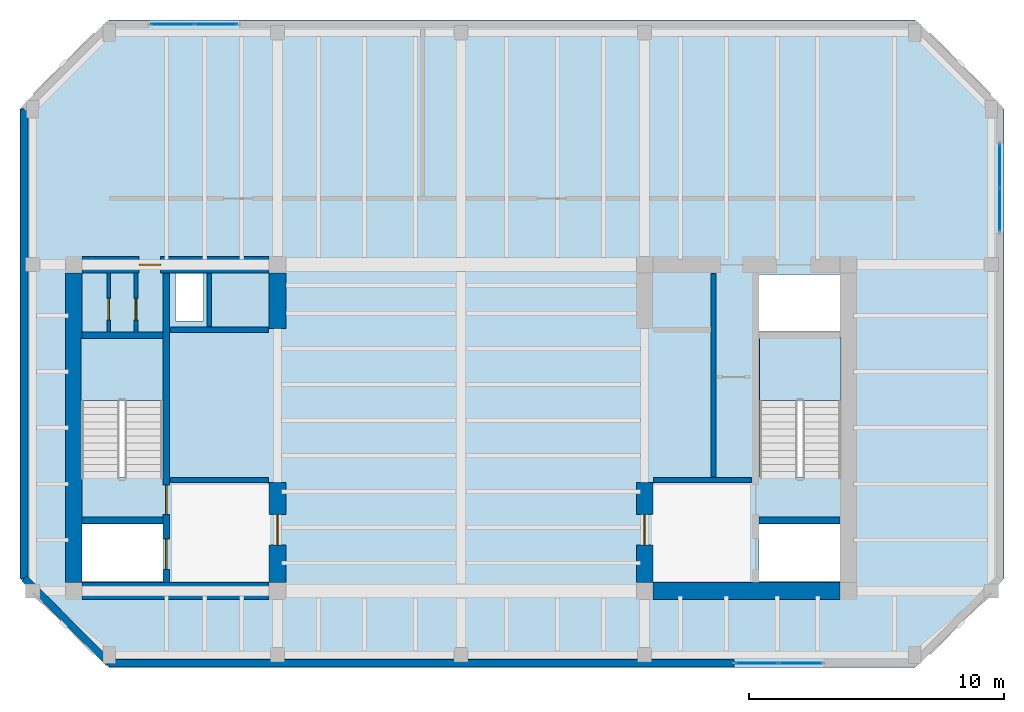
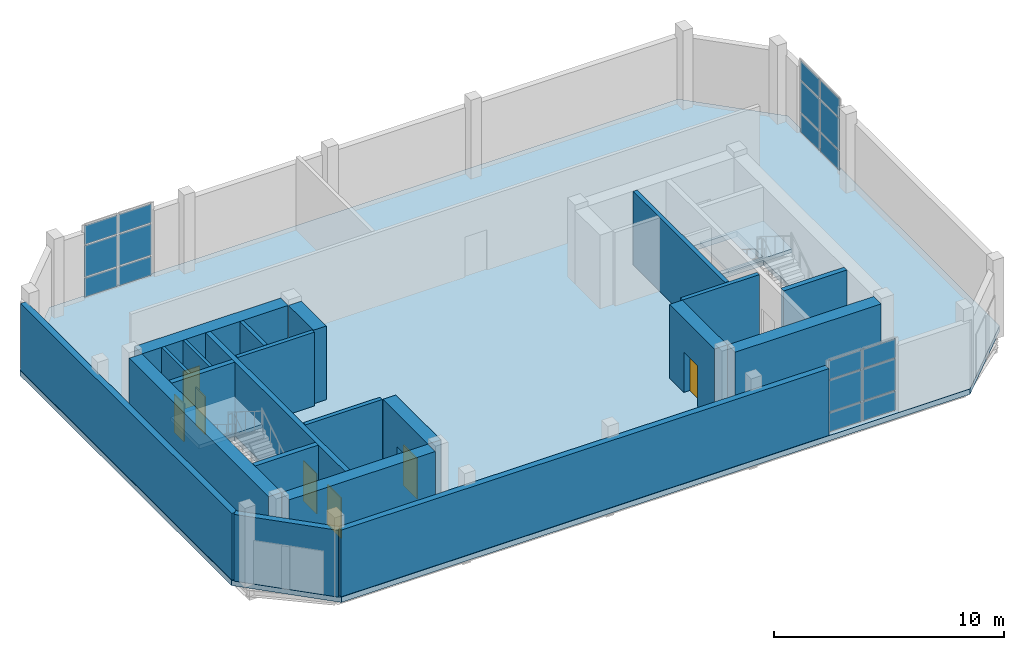
# One storey, part 5 of 8: 21 walls, 18 plates, 7 doors, 3 slabs, 7 openings, 5 elements without a shape of their own.
"""IFC4 building model written with IfcOpenShell, lengths in metres."""

from ifc_helpers import new_model, si_unit, direction, frame, frame_2d, origin, origin_2d, place, context, subcontext, project, spatial, polyline, rectangle, outline, extrude, material, layer, layer_set, type_object, element, fill, aggregate, save


model = new_model("IFC4")

# Units and contexts
model_context = context("Model", 3, precision=1e-05, world=origin(), true_north=direction((0.0, 1.0)))
body_context = subcontext(model_context, "Body", "Model", "MODEL_VIEW")
ifc_project = project(units=[si_unit("LENGTHUNIT", "METRE"), si_unit("AREAUNIT", "SQUARE_METRE"), si_unit("VOLUMEUNIT", "CUBIC_METRE"), si_unit("PLANEANGLEUNIT", "RADIAN"), si_unit("MASSUNIT", "GRAM", prefix="KILO")], contexts=[model_context])

# Site, building, storey
site_placement = place(None, origin())
site = spatial("IfcSite", under=ifc_project, at=site_placement, CompositionType="ELEMENT")
building_placement = place(site_placement, origin())
building = spatial("IfcBuilding", under=site, at=building_placement, Name="Kranthara Brick Stack", CompositionType="ELEMENT")
storey_placement = place(building_placement, frame((0.0, 0.0, 300.60009765625)))
storey = spatial("IfcBuildingStorey", under=building, at=storey_placement, Name="L79", CompositionType="ELEMENT", Elevation=300.60009765625)

# Curtain wall, plates
ifc_material_1 = material(Name="Bronze anodised aluminium and low-E glass", Category="aluminium")
ifc_layer_1 = layer(ifc_material_1, 0.25)
ifc_layer_set_1 = layer_set([ifc_layer_1], Name="Bronze anodised aluminium and low-E glass")
curtain_wall_type = type_object("IfcCurtainWallType", Name="CW-SYS6-CROWN", PredefinedType="USERDEFINED", material=ifc_layer_set_1)
curtain_wall_1_placement = place(storey_placement, origin())
curtain_wall_1 = element("IfcCurtainWall", 1, at=curtain_wall_1_placement, inside=storey, type_object=curtain_wall_type, Name="L79 Curtain Wall CW6-L79-01", ObjectType="UNITISED CURTAIN WALL", PredefinedType="USERDEFINED")
ifc_material_2 = material(Name="Double-glazed low-E vision glass", Category="glass")
ifc_layer_2 = layer(ifc_material_2, 0.028076171875)
ifc_layer_set_2 = layer_set([ifc_layer_2], Name="Double-glazed low-E vision glass")
plate_type = type_object("IfcPlateType", Name="CWP-GLZ-28", PredefinedType="CURTAIN_PANEL", material=ifc_layer_set_2)
plate_1_placement = place(storey_placement, frame((41.32177734375, 17.969970703125, 0.06494140625), z_axis=(0.0, 0.0, 1.0), x_axis=(-1.0, 0.0, 0.0)))
plate_1 = element("IfcPlate", 2, at=plate_1_placement, type_object=plate_type, Name="CW panel 1.1", PredefinedType="CURTAIN_PANEL", context=body_context, shape_type="SweptSolid", body=[
    extrude(rectangle(XDim=1.652587890625, YDim=0.028076171875, at=origin_2d()), origin(), (0.0, 0.0, 1.0), 1.0),
])
plate_2_placement = place(storey_placement, frame((41.32177734375, 17.969970703125, 1.1298828125), z_axis=(0.0, 0.0, 1.0), x_axis=(-1.0, 0.0, 0.0)))
plate_2 = element("IfcPlate", 3, at=plate_2_placement, type_object=plate_type, Name="CW panel 1.2", PredefinedType="CURTAIN_PANEL", context=body_context, shape_type="SweptSolid", body=[
    extrude(rectangle(XDim=1.652587890625, YDim=0.028076171875, at=origin_2d()), origin(), (0.0, 0.0, 1.0), 1.659912109375),
])
plate_3_placement = place(storey_placement, frame((41.32177734375, 17.969970703125, 2.854736328125), z_axis=(0.0, 0.0, 1.0), x_axis=(-1.0, 0.0, 0.0)))
plate_3 = element("IfcPlate", 4, at=plate_3_placement, type_object=plate_type, Name="CW panel 1.3", PredefinedType="CURTAIN_PANEL", context=body_context, shape_type="SweptSolid", body=[
    extrude(rectangle(XDim=1.652587890625, YDim=0.028076171875, at=origin_2d()), origin(), (0.0, 0.0, 1.0), 1.0),
])
plate_4_placement = place(storey_placement, frame((39.604248046875, 17.969970703125, 0.06494140625), z_axis=(0.0, 0.0, 1.0), x_axis=(-1.0, 0.0, 0.0)))
plate_4 = element("IfcPlate", 5, at=plate_4_placement, type_object=plate_type, Name="CW panel 2.1", PredefinedType="CURTAIN_PANEL", context=body_context, shape_type="SweptSolid", body=[
    extrude(rectangle(XDim=1.652587890625, YDim=0.028076171875, at=origin_2d()), origin(), (0.0, 0.0, 1.0), 1.0),
])
plate_5_placement = place(storey_placement, frame((39.604248046875, 17.969970703125, 1.1298828125), z_axis=(0.0, 0.0, 1.0), x_axis=(-1.0, 0.0, 0.0)))
plate_5 = element("IfcPlate", 6, at=plate_5_placement, type_object=plate_type, Name="CW panel 2.2", PredefinedType="CURTAIN_PANEL", context=body_context, shape_type="SweptSolid", body=[
    extrude(rectangle(XDim=1.652587890625, YDim=0.028076171875, at=origin_2d()), origin(), (0.0, 0.0, 1.0), 1.659912109375),
])
plate_6_placement = place(storey_placement, frame((39.604248046875, 17.969970703125, 2.854736328125), z_axis=(0.0, 0.0, 1.0), x_axis=(-1.0, 0.0, 0.0)))
plate_6 = element("IfcPlate", 7, at=plate_6_placement, type_object=plate_type, Name="CW panel 2.3", PredefinedType="CURTAIN_PANEL", context=body_context, shape_type="SweptSolid", body=[
    extrude(rectangle(XDim=1.652587890625, YDim=0.028076171875, at=origin_2d()), origin(), (0.0, 0.0, 1.0), 1.0),
])
aggregate(curtain_wall_1, [plate_1, plate_2, plate_3, plate_4, plate_5, plate_6])

curtain_wall_2_placement = place(storey_placement, origin())
curtain_wall_2 = element("IfcCurtainWall", 8, at=curtain_wall_2_placement, inside=storey, type_object=curtain_wall_type, Name="L79 Curtain Wall CW6-L79-02", ObjectType="UNITISED CURTAIN WALL", PredefinedType="USERDEFINED")
plate_7_placement = place(storey_placement, frame((16.67919921875, 43.030029296875, 0.06494140625), z_axis=(0.0, 0.0, 1.0), x_axis=(1.0, 0.0, 0.0)))
plate_7 = element("IfcPlate", 9, at=plate_7_placement, type_object=plate_type, Name="CW panel 1.1", PredefinedType="CURTAIN_PANEL", context=body_context, shape_type="SweptSolid", body=[
    extrude(rectangle(XDim=1.652587890625, YDim=0.028076171875, at=origin_2d()), origin(), (0.0, 0.0, 1.0), 1.0),
])
plate_8_placement = place(storey_placement, frame((16.67919921875, 43.030029296875, 1.1298828125), z_axis=(0.0, 0.0, 1.0), x_axis=(1.0, 0.0, 0.0)))
plate_8 = element("IfcPlate", 10, at=plate_8_placement, type_object=plate_type, Name="CW panel 1.2", PredefinedType="CURTAIN_PANEL", context=body_context, shape_type="SweptSolid", body=[
    extrude(rectangle(XDim=1.652587890625, YDim=0.028076171875, at=origin_2d()), origin(), (0.0, 0.0, 1.0), 1.659912109375),
])
plate_9_placement = place(storey_placement, frame((16.67919921875, 43.030029296875, 2.854736328125), z_axis=(0.0, 0.0, 1.0), x_axis=(1.0, 0.0, 0.0)))
plate_9 = element("IfcPlate", 11, at=plate_9_placement, type_object=plate_type, Name="CW panel 1.3", PredefinedType="CURTAIN_PANEL", context=body_context, shape_type="SweptSolid", body=[
    extrude(rectangle(XDim=1.652587890625, YDim=0.028076171875, at=origin_2d()), origin(), (0.0, 0.0, 1.0), 1.0),
])
plate_10_placement = place(storey_placement, frame((18.396728515625, 43.030029296875, 0.06494140625), z_axis=(0.0, 0.0, 1.0), x_axis=(1.0, 0.0, 0.0)))
plate_10 = element("IfcPlate", 12, at=plate_10_placement, type_object=plate_type, Name="CW panel 2.1", PredefinedType="CURTAIN_PANEL", context=body_context, shape_type="SweptSolid", body=[
    extrude(rectangle(XDim=1.652587890625, YDim=0.028076171875, at=origin_2d()), origin(), (0.0, 0.0, 1.0), 1.0),
])
plate_11_placement = place(storey_placement, frame((18.396728515625, 43.030029296875, 1.1298828125), z_axis=(0.0, 0.0, 1.0), x_axis=(1.0, 0.0, 0.0)))
plate_11 = element("IfcPlate", 13, at=plate_11_placement, type_object=plate_type, Name="CW panel 2.2", PredefinedType="CURTAIN_PANEL", context=body_context, shape_type="SweptSolid", body=[
    extrude(rectangle(XDim=1.652587890625, YDim=0.028076171875, at=origin_2d()), origin(), (0.0, 0.0, 1.0), 1.659912109375),
])
plate_12_placement = place(storey_placement, frame((18.396728515625, 43.030029296875, 2.854736328125), z_axis=(0.0, 0.0, 1.0), x_axis=(1.0, 0.0, 0.0)))
plate_12 = element("IfcPlate", 14, at=plate_12_placement, type_object=plate_type, Name="CW panel 2.3", PredefinedType="CURTAIN_PANEL", context=body_context, shape_type="SweptSolid", body=[
    extrude(rectangle(XDim=1.652587890625, YDim=0.028076171875, at=origin_2d()), origin(), (0.0, 0.0, 1.0), 1.0),
])
aggregate(curtain_wall_2, [plate_7, plate_8, plate_9, plate_10, plate_11, plate_12])

curtain_wall_3_placement = place(storey_placement, origin())
curtain_wall_3 = element("IfcCurtainWall", 15, at=curtain_wall_3_placement, inside=storey, type_object=curtain_wall_type, Name="L79 Curtain Wall CW6-L79-03", ObjectType="UNITISED CURTAIN WALL", PredefinedType="USERDEFINED")
plate_13_placement = place(storey_placement, frame((49.1298828125, 37.470703125, 0.06494140625), z_axis=(0.0, 0.0, 1.0), x_axis=(0.0, -1.0, 0.0)))
plate_13 = element("IfcPlate", 16, at=plate_13_placement, type_object=plate_type, Name="CW panel 1.1", PredefinedType="CURTAIN_PANEL", context=body_context, shape_type="SweptSolid", body=[
    extrude(rectangle(XDim=1.652587890625, YDim=0.028076171875, at=origin_2d()), origin(), (0.0, 0.0, 1.0), 1.0),
])
plate_14_placement = place(storey_placement, frame((49.1298828125, 37.470703125, 1.1298828125), z_axis=(0.0, 0.0, 1.0), x_axis=(0.0, -1.0, 0.0)))
plate_14 = element("IfcPlate", 17, at=plate_14_placement, type_object=plate_type, Name="CW panel 1.2", PredefinedType="CURTAIN_PANEL", context=body_context, shape_type="SweptSolid", body=[
    extrude(rectangle(XDim=1.652587890625, YDim=0.028076171875, at=origin_2d()), origin(), (0.0, 0.0, 1.0), 1.659912109375),
])
plate_15_placement = place(storey_placement, frame((49.1298828125, 37.470703125, 2.854736328125), z_axis=(0.0, 0.0, 1.0), x_axis=(0.0, -1.0, 0.0)))
plate_15 = element("IfcPlate", 18, at=plate_15_placement, type_object=plate_type, Name="CW panel 1.3", PredefinedType="CURTAIN_PANEL", context=body_context, shape_type="SweptSolid", body=[
    extrude(rectangle(XDim=1.652587890625, YDim=0.028076171875, at=origin_2d()), origin(), (0.0, 0.0, 1.0), 1.0),
])
plate_16_placement = place(storey_placement, frame((49.1298828125, 35.753173828125, 0.06494140625), z_axis=(0.0, 0.0, 1.0), x_axis=(0.0, -1.0, 0.0)))
plate_16 = element("IfcPlate", 19, at=plate_16_placement, type_object=plate_type, Name="CW panel 2.1", PredefinedType="CURTAIN_PANEL", context=body_context, shape_type="SweptSolid", body=[
    extrude(rectangle(XDim=1.652587890625, YDim=0.028076171875, at=origin_2d()), origin(), (0.0, 0.0, 1.0), 1.0),
])
plate_17_placement = place(storey_placement, frame((49.1298828125, 35.753173828125, 1.1298828125), z_axis=(0.0, 0.0, 1.0), x_axis=(0.0, -1.0, 0.0)))
plate_17 = element("IfcPlate", 20, at=plate_17_placement, type_object=plate_type, Name="CW panel 2.2", PredefinedType="CURTAIN_PANEL", context=body_context, shape_type="SweptSolid", body=[
    extrude(rectangle(XDim=1.652587890625, YDim=0.028076171875, at=origin_2d()), origin(), (0.0, 0.0, 1.0), 1.659912109375),
])
plate_18_placement = place(storey_placement, frame((49.1298828125, 35.753173828125, 2.854736328125), z_axis=(0.0, 0.0, 1.0), x_axis=(0.0, -1.0, 0.0)))
plate_18 = element("IfcPlate", 21, at=plate_18_placement, type_object=plate_type, Name="CW panel 2.3", PredefinedType="CURTAIN_PANEL", context=body_context, shape_type="SweptSolid", body=[
    extrude(rectangle(XDim=1.652587890625, YDim=0.028076171875, at=origin_2d()), origin(), (0.0, 0.0, 1.0), 1.0),
])
aggregate(curtain_wall_3, [plate_13, plate_14, plate_15, plate_16, plate_17, plate_18])

# Slab
ifc_material_3 = material(Name="Concrete C45/55", Category="concrete")
ifc_layer_3 = layer(ifc_material_3, 0.280029296875)
ifc_layer_set_3 = layer_set([ifc_layer_3], Name="Concrete C45/55")
slab_type_1 = type_object("IfcSlabType", Name="SLB-CRN-280", PredefinedType="FLOOR", material=ifc_layer_set_3)
slab_1_placement = place(storey_placement, frame((0.0, 0.0, -0.280029296875)))
element("IfcSlab", 22, at=slab_1_placement, inside=storey, type_object=slab_type_1, Name="L79 Structural Floor Plate", PredefinedType="FLOOR", context=body_context, shape_type="SweptSolid", body=[
    extrude(outline(polyline([(14.199951171875, 17.800048828125), (45.800048828125, 17.800048828125), (49.300048828125, 21.300048828125), (49.300048828125, 39.699951171875), (45.800048828125, 43.199951171875), (14.199951171875, 43.199951171875), (10.699951171875, 39.699951171875), (10.699951171875, 21.300048828125), (14.199951171875, 17.800048828125)]), holes=[polyline([(13.10009765625, 25.280029296875), (16.300048828125, 25.280029296875), (16.300048828125, 30.75), (13.10009765625, 30.75), (13.10009765625, 25.280029296875)]), polyline([(39.699951171875, 25.280029296875), (42.89990234375, 25.280029296875), (42.89990234375, 30.75), (39.699951171875, 30.75), (39.699951171875, 25.280029296875)]), polyline([(13.0, 21.179931640625), (16.320068359375, 21.179931640625), (16.320068359375, 23.419921875), (13.0, 23.419921875), (13.0, 21.179931640625)]), polyline([(39.679931640625, 21.179931640625), (43.0, 21.179931640625), (43.0, 23.419921875), (39.679931640625, 23.419921875), (39.679931640625, 21.179931640625)]), polyline([(39.679931640625, 30.97998046875), (43.0, 30.97998046875), (43.0, 33.219970703125), (39.679931640625, 33.219970703125), (39.679931640625, 30.97998046875)]), polyline([(16.800048828125, 31.39990234375), (17.89990234375, 31.39990234375), (17.89990234375, 33.25), (16.800048828125, 33.25), (16.800048828125, 31.39990234375)])]), origin(), (0.0, 0.0, 1.0), 0.280029296875),
])

# Stair, slab
ifc_material_4 = material(Name="Concrete C45/55", Category="concrete")
stair_type = type_object("IfcStairType", Name="ST-CORE-24R", PredefinedType="HALF_TURN_STAIR", material=ifc_material_4)
stair_1_placement = place(storey_placement, origin())
stair_1 = element("IfcStair", 23, at=stair_1_placement, inside=storey, type_object=stair_type, Name="L79 West Core Protected Exit Stair ST01", PredefinedType="HALF_TURN_STAIR")
ifc_material_5 = material(Name="Concrete C45/55", Category="concrete")
ifc_layer_4 = layer(ifc_material_5, 0.199951171875)
ifc_layer_set_4 = layer_set([ifc_layer_4], Name="Concrete C45/55")
slab_type_2 = type_object("IfcSlabType", Name="SLB-LANDING-200", PredefinedType="LANDING", material=ifc_layer_set_4)
slab_2_placement = place(storey_placement, frame((0.0, 0.0, 1.89990234375)))
slab_2 = element("IfcSlab", 24, at=slab_2_placement, type_object=slab_type_2, Name="ST01 landing 1", PredefinedType="LANDING", context=body_context, shape_type="SweptSolid", body=[
    extrude(outline(polyline([(16.300048828125, 28.280029296875), (16.300048828125, 30.75), (13.10009765625, 30.75), (13.10009765625, 28.280029296875), (16.300048828125, 28.280029296875)])), origin(), (0.0, 0.0, 1.0), 0.199951171875),
])
aggregate(stair_1, [slab_2])

stair_2_placement = place(storey_placement, origin())
stair_2 = element("IfcStair", 25, at=stair_2_placement, inside=storey, type_object=stair_type, Name="L79 East Core Protected Exit Stair ST02", PredefinedType="HALF_TURN_STAIR")
slab_3_placement = place(storey_placement, frame((0.0, 0.0, 1.89990234375)))
slab_3 = element("IfcSlab", 26, at=slab_3_placement, type_object=slab_type_2, Name="ST02 landing 1", PredefinedType="LANDING", context=body_context, shape_type="SweptSolid", body=[
    extrude(outline(polyline([(42.89990234375, 28.280029296875), (42.89990234375, 30.75), (39.699951171875, 30.75), (39.699951171875, 28.280029296875), (42.89990234375, 28.280029296875)])), origin(), (0.0, 0.0, 1.0), 0.199951171875),
])
aggregate(stair_2, [slab_3])

# Walls
ifc_material_6 = material(Name="Precast concrete C45/55", Category="concrete")
ifc_layer_5 = layer(ifc_material_6, 0.300048828125)
ifc_layer_set_5 = layer_set([ifc_layer_5], Name="Precast concrete C45/55")
wall_type_1 = type_object("IfcWallType", Name="WL-BRK-CRWN-300", PredefinedType="STANDARD", material=ifc_layer_set_5)
wall_1_placement = place(storey_placement, frame((38.712890625, 17.969970703125, 0.0), z_axis=(0.0, 0.0, 1.0), x_axis=(-1.0, 0.0, 0.0)))
element("IfcWall", 27, at=wall_1_placement, inside=storey, type_object=wall_type_1, Name="L79 Exterior Brick Facade Wall SOUTH 2", PredefinedType="STANDARD", context=body_context, shape_type="SweptSolid", body=[
    extrude(rectangle(XDim=24.512939453125, YDim=0.300048828125, at=frame_2d((12.25634765625, 0.0))), origin(), (0.0, 0.0, 1.0), 3.544921875),
])
wall_2_placement = place(storey_placement, frame((14.199951171875, 17.969970703125, 0.0), z_axis=(0.0, 0.0, 1.0), x_axis=(-0.707080859425, 0.707132701998, 0.0)))
element("IfcWall", 28, at=wall_2_placement, inside=storey, type_object=wall_type_1, Name="L79 Exterior Brick Facade Wall SW 1", PredefinedType="STANDARD", context=body_context, shape_type="SweptSolid", body=[
    extrude(rectangle(XDim=4.709228515625, YDim=0.300048828125, at=frame_2d((2.3544921875, 0.0))), origin(), (0.0, 0.0, 1.0), 3.544921875),
])
wall_3_placement = place(storey_placement, frame((10.8701171875, 21.300048828125, 0.0), z_axis=(0.0, 0.0, 1.0), x_axis=(0.0, 1.0, 0.0)))
element("IfcWall", 29, at=wall_3_placement, inside=storey, type_object=wall_type_1, Name="L79 Exterior Brick Facade Wall WEST 1", PredefinedType="STANDARD", context=body_context, shape_type="SweptSolid", body=[
    extrude(rectangle(XDim=18.39990234375, YDim=0.300048828125, at=frame_2d((9.199951171875, 0.0))), origin(), (0.0, 0.0, 1.0), 3.544921875),
])

# Wall, openings, doors
ifc_material_7 = material(Name="Concrete C50/60", Category="concrete")
ifc_layer_6 = layer(ifc_material_7, 0.25)
ifc_layer_set_6 = layer_set([ifc_layer_6], Name="Concrete C50/60")
wall_type_2 = type_object("IfcWallType", Name="WL-CORE-250", PredefinedType="SHEAR", material=ifc_layer_set_6)
wall_4_placement = place(storey_placement, frame((16.43505859375, 21.135009765625, 0.0), z_axis=(0.0, 0.0, 1.0), x_axis=(0.0, 1.0, 0.0)))
wall_4 = element("IfcWall", 30, at=wall_4_placement, inside=storey, type_object=wall_type_2, Name="L79 West Core Stair Bearing Spine Wall", PredefinedType="SHEAR", context=body_context, shape_type="SweptSolid", body=[
    extrude(rectangle(XDim=12.1298828125, YDim=0.25, at=frame_2d((6.06494140625, 0.0))), origin(), (0.0, 0.0, 1.0), 3.919921875),
])
opening_1_placement = place(wall_4_placement, frame((0.514892578125, 0.0, 0.0)))
opening_1 = element("IfcOpeningElement", 31, at=opening_1_placement, cuts=wall_4, Name="Opening LD01", PredefinedType="OPENING", context=body_context, shape_type="SweptSolid", body=[
    extrude(rectangle(XDim=1.199951171875, YDim=2.14990234375, at=frame_2d((0.60009765625, 1.074951171875))), frame((0.0, 0.135009765625, 0.0), z_axis=(0.0, -1.0, 0.0), x_axis=(1.0, 0.0, 0.0)), (0.0, 0.0, 1.0), 0.27001953125),
])
opening_2_placement = place(wall_4_placement, frame((2.6650390625, 0.0, 0.0)))
opening_2 = element("IfcOpeningElement", 32, at=opening_2_placement, cuts=wall_4, Name="Opening D05", PredefinedType="OPENING", context=body_context, shape_type="SweptSolid", body=[
    extrude(rectangle(XDim=1.14990234375, YDim=2.14990234375, at=frame_2d((0.574951171875, 1.074951171875))), frame((0.0, 0.135009765625, 0.0), z_axis=(0.0, -1.0, 0.0), x_axis=(1.0, 0.0, 0.0)), (0.0, 0.0, 1.0), 0.27001953125),
])
ifc_material_8 = material(Name="Stainless steel sliding landing door", Category="steel")
door_type_1 = type_object("IfcDoorType", Name="DR-LD-FF1200", OperationType="DOUBLE_DOOR_SLIDING", PredefinedType="DOOR", material=ifc_material_8)
door_1_placement = place(opening_1_placement, origin())
door_1 = element("IfcDoor", 33, at=door_1_placement, inside=storey, type_object=door_type_1, Name="L79 Firefighting Lift FF-01 Landing Door", OperationType="DOUBLE_DOOR_SLIDING", OverallHeight=2.14990234375, OverallWidth=1.199951171875, PredefinedType="DOOR", context=body_context, shape_type="SweptSolid", body=[
    extrude(rectangle(XDim=1.199951171875, YDim=2.14990234375, at=frame_2d((0.60009765625, 1.074951171875))), frame((0.0, 0.02490234375, 0.0), z_axis=(0.0, -1.0, 0.0), x_axis=(1.0, 0.0, 0.0)), (0.0, 0.0, 1.0), 0.050048828125),
])
fill(opening_1, door_1)
ifc_material_9 = material(Name="Solid-core hardwood timber leaf in steel frame", Category="steel")
door_type_2 = type_object("IfcDoorType", Name="DR-ST-1150", OperationType="NOTDEFINED", PredefinedType="DOOR", material=ifc_material_9)
door_2_placement = place(opening_2_placement, origin())
door_2 = element("IfcDoor", 34, at=door_2_placement, inside=storey, type_object=door_type_2, Name="L79 Exit Stair ST01 Door", OperationType="SINGLE_SWING_RIGHT", OverallHeight=2.14990234375, OverallWidth=1.14990234375, PredefinedType="DOOR", context=body_context, shape_type="SweptSolid", body=[
    extrude(rectangle(XDim=1.14990234375, YDim=2.14990234375, at=frame_2d((0.574951171875, 1.074951171875))), frame((0.0, 0.02490234375, 0.0), z_axis=(0.0, -1.0, 0.0), x_axis=(1.0, 0.0, 0.0)), (0.0, 0.0, 1.0), 0.050048828125),
])
fill(opening_2, door_2)

# Walls
for number, where, z_axis, x_axis, name in (
    (35, (13.135009765625, 23.570068359375, 0.0), (0.0, 0.0, 1.0), (1.0, 0.0, 0.0), "L79 West Stairwell Bearing Wall WFF"),
    (36, (13.135009765625, 30.830078125, 0.0), (0.0, 0.0, 1.0), (1.0, 0.0, 0.0), "L79 West Stairwell Bearing Wall WST"),
    (37, (39.68994140625, 23.570068359375, 0.0), (0.0, 0.0, 1.0), (1.0, 0.0, 0.0), "L79 East Stairwell Bearing Wall EFF"),
):
    element("IfcWall", number, at=place(storey_placement, frame(where, z_axis=z_axis, x_axis=x_axis)), inside=storey, type_object=wall_type_2, Name=name, PredefinedType="SHEAR", context=body_context, shape_type="SweptSolid", body=[
        extrude(rectangle(XDim=3.175048828125, YDim=0.25, at=frame_2d((1.58740234375, 0.0))), origin(), (0.0, 0.0, 1.0), 3.919921875),
    ])
ifc_material_10 = material(Name="Concrete C60/75", Category="concrete")
ifc_layer_7 = layer(ifc_material_10, 0.64990234375)
ifc_layer_set_7 = layer_set([ifc_layer_7], Name="Concrete C60/75")
wall_type_3 = type_object("IfcWallType", Name="WL-CORE-650", PredefinedType="SHEAR", material=ifc_layer_set_7)
wall_5_placement = place(storey_placement, frame((12.800048828125, 21.1298828125, 0.0), z_axis=(0.0, 0.0, 1.0), x_axis=(0.0, 1.0, 0.0)))
element("IfcWall", 38, at=wall_5_placement, inside=storey, type_object=wall_type_3, Name="L79 West Core Shear Wall West", PredefinedType="SHEAR", context=body_context, shape_type="SweptSolid", body=[
    extrude(rectangle(XDim=12.14013671875, YDim=0.64990234375, at=frame_2d((6.070068359375, 0.0))), origin(), (0.0, 0.0, 1.0), 3.919921875),
])
wall_6_placement = place(storey_placement, frame((13.1298828125, 20.800048828125, 0.0), z_axis=(0.0, 0.0, 1.0), x_axis=(1.0, 0.0, 0.0)))
element("IfcWall", 39, at=wall_6_placement, inside=storey, type_object=wall_type_3, Name="L79 West Core Shear Wall South", PredefinedType="SHEAR", context=body_context, shape_type="SweptSolid", body=[
    extrude(rectangle(XDim=7.340087890625, YDim=0.64990234375, at=frame_2d((3.669921875, 0.0))), origin(), (0.0, 0.0, 1.0), 3.919921875),
])

# Wall, opening, door
wall_7_placement = place(storey_placement, frame((13.1298828125, 33.60009765625, 0.0), z_axis=(0.0, 0.0, 1.0), x_axis=(1.0, 0.0, 0.0)))
wall_7 = element("IfcWall", 40, at=wall_7_placement, inside=storey, type_object=wall_type_3, Name="L79 West Core Shear Wall North", PredefinedType="SHEAR", context=body_context, shape_type="SweptSolid", body=[
    extrude(rectangle(XDim=7.340087890625, YDim=0.64990234375, at=frame_2d((3.669921875, 0.0))), origin(), (0.0, 0.0, 1.0), 3.919921875),
])
opening_3_placement = place(wall_7_placement, frame((2.239990234375, 0.0, 0.0)))
opening_3 = element("IfcOpeningElement", 41, at=opening_3_placement, cuts=wall_7, Name="Opening D10", PredefinedType="OPENING", context=body_context, shape_type="SweptSolid", body=[
    extrude(rectangle(XDim=0.85009765625, YDim=2.02001953125, at=frame_2d((0.425048828125, 1.010009765625))), frame((0.0, 0.3349609375, 0.0), z_axis=(0.0, -1.0, 0.0), x_axis=(1.0, 0.0, 0.0)), (0.0, 0.0, 1.0), 0.669921875),
])
ifc_material_11 = material(Name="Solid-core hardwood timber leaf in steel frame", Category="steel")
door_type_3 = type_object("IfcDoorType", Name="DR-RSR-850", OperationType="NOTDEFINED", PredefinedType="DOOR", material=ifc_material_11)
door_3_placement = place(opening_3_placement, origin())
door_3 = element("IfcDoor", 42, at=door_3_placement, inside=storey, type_object=door_type_3, Name="L79 West Core Service Door 1", OperationType="SINGLE_SWING_RIGHT", OverallHeight=2.02001953125, OverallWidth=0.85009765625, PredefinedType="DOOR", context=body_context, shape_type="SweptSolid", body=[
    extrude(rectangle(XDim=0.85009765625, YDim=2.02001953125, at=frame_2d((0.425048828125, 1.010009765625))), frame((0.0, 0.02490234375, 0.0), z_axis=(0.0, -1.0, 0.0), x_axis=(1.0, 0.0, 0.0)), (0.0, 0.0, 1.0), 0.050048828125),
])
fill(opening_3, door_3)

wall_8_placement = place(storey_placement, frame((20.800048828125, 21.1298828125, 0.0), z_axis=(0.0, 0.0, 1.0), x_axis=(0.0, 1.0, 0.0)))
wall_8 = element("IfcWall", 43, at=wall_8_placement, inside=storey, type_object=wall_type_3, Name="L79 West Core Lobby Shear Wall", PredefinedType="SHEAR", context=body_context, shape_type="SweptSolid", body=[
    extrude(rectangle(XDim=3.920166015625, YDim=0.64990234375, at=frame_2d((1.9599609375, 0.0))), origin(), (0.0, 0.0, 1.0), 3.919921875),
])
opening_4_placement = place(wall_8_placement, frame((1.469970703125, 0.0, 0.0)))
opening_4 = element("IfcOpeningElement", 44, at=opening_4_placement, cuts=wall_8, Name="Opening D06", PredefinedType="OPENING", context=body_context, shape_type="SweptSolid", body=[
    extrude(rectangle(XDim=1.199951171875, YDim=2.14990234375, at=frame_2d((0.60009765625, 1.074951171875))), frame((0.0, 0.3349609375, 0.0), z_axis=(0.0, -1.0, 0.0), x_axis=(1.0, 0.0, 0.0)), (0.0, 0.0, 1.0), 0.669921875),
])
ifc_material_12 = material(Name="Solid-core hardwood timber leaf in steel frame", Category="steel")
door_type_4 = type_object("IfcDoorType", Name="DR-FFL-1200", OperationType="NOTDEFINED", PredefinedType="DOOR", material=ifc_material_12)
door_4_placement = place(opening_4_placement, origin())
door_4 = element("IfcDoor", 45, at=door_4_placement, inside=storey, type_object=door_type_4, Name="L79 West Firefighting Lobby Door", OperationType="SINGLE_SWING_LEFT", OverallHeight=2.14990234375, OverallWidth=1.199951171875, PredefinedType="DOOR", context=body_context, shape_type="SweptSolid", body=[
    extrude(rectangle(XDim=1.199951171875, YDim=2.14990234375, at=frame_2d((0.60009765625, 1.074951171875))), frame((0.0, 0.02490234375, 0.0), z_axis=(0.0, -1.0, 0.0), x_axis=(1.0, 0.0, 0.0)), (0.0, 0.0, 1.0), 0.050048828125),
])
fill(opening_4, door_4)

# Walls
wall_9_placement = place(storey_placement, frame((20.800048828125, 31.10009765625, 0.0), z_axis=(0.0, 0.0, 1.0), x_axis=(0.0, 1.0, 0.0)))
element("IfcWall", 46, at=wall_9_placement, inside=storey, type_object=wall_type_3, Name="L79 West Core High-Rise Lift Wall", PredefinedType="SHEAR", context=body_context, shape_type="SweptSolid", body=[
    extrude(rectangle(XDim=2.169921875, YDim=0.64990234375, at=frame_2d((1.0849609375, 0.0))), origin(), (0.0, 0.0, 1.0), 3.919921875),
])
wall_10_placement = place(storey_placement, frame((35.530029296875, 20.800048828125, 0.0), z_axis=(0.0, 0.0, 1.0), x_axis=(1.0, 0.0, 0.0)))
element("IfcWall", 47, at=wall_10_placement, inside=storey, type_object=wall_type_3, Name="L79 East Core Shear Wall South", PredefinedType="SHEAR", context=body_context, shape_type="SweptSolid", body=[
    extrude(rectangle(XDim=7.340087890625, YDim=0.64990234375, at=frame_2d((3.669921875, 0.0))), origin(), (0.0, 0.0, 1.0), 3.919921875),
])

# Wall, opening, door
wall_11_placement = place(storey_placement, frame((35.199951171875, 21.1298828125, 0.0), z_axis=(0.0, 0.0, 1.0), x_axis=(0.0, 1.0, 0.0)))
wall_11 = element("IfcWall", 48, at=wall_11_placement, inside=storey, type_object=wall_type_3, Name="L79 East Core Lobby Shear Wall", PredefinedType="SHEAR", context=body_context, shape_type="SweptSolid", body=[
    extrude(rectangle(XDim=3.920166015625, YDim=0.64990234375, at=frame_2d((1.9599609375, 0.0))), origin(), (0.0, 0.0, 1.0), 3.919921875),
])
opening_5_placement = place(wall_11_placement, frame((1.469970703125, 0.0, 0.0)))
opening_5 = element("IfcOpeningElement", 49, at=opening_5_placement, cuts=wall_11, Name="Opening D06", PredefinedType="OPENING", context=body_context, shape_type="SweptSolid", body=[
    extrude(rectangle(XDim=1.199951171875, YDim=2.14990234375, at=frame_2d((0.60009765625, 1.074951171875))), frame((0.0, 0.3349609375, 0.0), z_axis=(0.0, -1.0, 0.0), x_axis=(1.0, 0.0, 0.0)), (0.0, 0.0, 1.0), 0.669921875),
])
door_5_placement = place(opening_5_placement, origin())
door_5 = element("IfcDoor", 50, at=door_5_placement, inside=storey, type_object=door_type_4, Name="L79 East Firefighting Lobby Door", OperationType="SINGLE_SWING_RIGHT", OverallHeight=2.14990234375, OverallWidth=1.199951171875, PredefinedType="DOOR", context=body_context, shape_type="SweptSolid", body=[
    extrude(rectangle(XDim=1.199951171875, YDim=2.14990234375, at=frame_2d((0.60009765625, 1.074951171875))), frame((0.0, 0.02490234375, 0.0), z_axis=(0.0, -1.0, 0.0), x_axis=(1.0, 0.0, 0.0)), (0.0, 0.0, 1.0), 0.050048828125),
])
fill(opening_5, door_5)

ifc_material_13 = material(Name="Fire-rated gypsum board partition", Category="other")
ifc_layer_8 = layer(ifc_material_13, 0.14990234375)
ifc_layer_set_8 = layer_set([ifc_layer_8], Name="Fire-rated gypsum board partition")
wall_type_4 = type_object("IfcWallType", Name="WL-PART-150", PredefinedType="PARTITIONING", material=ifc_layer_set_8)
wall_12_placement = place(storey_placement, frame((14.179931640625, 30.9599609375, 0.0), z_axis=(0.0, 0.0, 1.0), x_axis=(0.0, 1.0, 0.0)))
wall_12 = element("IfcWall", 51, at=wall_12_placement, inside=storey, type_object=wall_type_4, Name="L79 Interior Partition 001", PredefinedType="PARTITIONING", context=body_context, shape_type="SweptSolid", body=[
    extrude(rectangle(XDim=2.31005859375, YDim=0.14990234375, at=frame_2d((1.155029296875, 0.0))), origin(), (0.0, 0.0, 1.0), 3.919921875),
])
opening_6_placement = place(wall_12_placement, frame((0.469970703125, 0.0, 0.0)))
opening_6 = element("IfcOpeningElement", 52, at=opening_6_placement, cuts=wall_12, Name="Opening D10", PredefinedType="OPENING", context=body_context, shape_type="SweptSolid", body=[
    extrude(rectangle(XDim=0.85009765625, YDim=2.02001953125, at=frame_2d((0.425048828125, 1.010009765625))), frame((0.0, 0.0849609375, 0.0), z_axis=(0.0, -1.0, 0.0), x_axis=(1.0, 0.0, 0.0)), (0.0, 0.0, 1.0), 0.169921875),
])
door_6_placement = place(opening_6_placement, origin())
door_6 = element("IfcDoor", 53, at=door_6_placement, inside=storey, type_object=door_type_3, Name="L79 Riser Door A 01", OperationType="SINGLE_SWING_LEFT", OverallHeight=2.02001953125, OverallWidth=0.85009765625, PredefinedType="DOOR", context=body_context, shape_type="SweptSolid", body=[
    extrude(rectangle(XDim=0.85009765625, YDim=2.02001953125, at=frame_2d((0.425048828125, 1.010009765625))), frame((0.0, 0.02490234375, 0.0), z_axis=(0.0, -1.0, 0.0), x_axis=(1.0, 0.0, 0.0)), (0.0, 0.0, 1.0), 0.050048828125),
])
fill(opening_6, door_6)

wall_13_placement = place(storey_placement, frame((15.25, 30.9599609375, 0.0), z_axis=(0.0, 0.0, 1.0), x_axis=(0.0, 1.0, 0.0)))
wall_13 = element("IfcWall", 54, at=wall_13_placement, inside=storey, type_object=wall_type_4, Name="L79 Interior Partition 002", PredefinedType="PARTITIONING", context=body_context, shape_type="SweptSolid", body=[
    extrude(rectangle(XDim=2.31005859375, YDim=0.14990234375, at=frame_2d((1.155029296875, 0.0))), origin(), (0.0, 0.0, 1.0), 3.919921875),
])
opening_7_placement = place(wall_13_placement, frame((0.469970703125, 0.0, 0.0)))
opening_7 = element("IfcOpeningElement", 55, at=opening_7_placement, cuts=wall_13, Name="Opening D10", PredefinedType="OPENING", context=body_context, shape_type="SweptSolid", body=[
    extrude(rectangle(XDim=0.85009765625, YDim=2.02001953125, at=frame_2d((0.425048828125, 1.010009765625))), frame((0.0, 0.0849609375, 0.0), z_axis=(0.0, -1.0, 0.0), x_axis=(1.0, 0.0, 0.0)), (0.0, 0.0, 1.0), 0.169921875),
])
door_7_placement = place(opening_7_placement, origin())
door_7 = element("IfcDoor", 56, at=door_7_placement, inside=storey, type_object=door_type_3, Name="L79 Riser Door B 02", OperationType="SINGLE_SWING_RIGHT", OverallHeight=2.02001953125, OverallWidth=0.85009765625, PredefinedType="DOOR", context=body_context, shape_type="SweptSolid", body=[
    extrude(rectangle(XDim=0.85009765625, YDim=2.02001953125, at=frame_2d((0.425048828125, 1.010009765625))), frame((0.0, 0.02490234375, 0.0), z_axis=(0.0, -1.0, 0.0), x_axis=(1.0, 0.0, 0.0)), (0.0, 0.0, 1.0), 0.050048828125),
])
fill(opening_7, door_7)

# Walls
ifc_material_14 = material(Name="Gypsum plasterboard on acoustic twin stud", Category="other")
ifc_layer_9 = layer(ifc_material_14, 0.179931640625)
ifc_layer_set_9 = layer_set([ifc_layer_9], Name="Gypsum plasterboard on acoustic twin stud")
wall_type_5 = type_object("IfcWallType", Name="WL-PART-180", PredefinedType="PARTITIONING", material=ifc_layer_set_9)
wall_14_placement = place(storey_placement, frame((18.1201171875, 31.169921875, 0.0), z_axis=(0.0, 0.0, 1.0), x_axis=(0.0, 1.0, 0.0)))
element("IfcWall", 57, at=wall_14_placement, inside=storey, type_object=wall_type_5, Name="L79 PL-07 Shaft Back Wall", PredefinedType="PARTITIONING", context=body_context, shape_type="SweptSolid", body=[
    extrude(rectangle(XDim=2.094970703125, YDim=0.179931640625, at=frame_2d((1.04736328125, 0.0))), origin(), (0.0, 0.0, 1.0), 3.919921875),
])
ifc_material_15 = material(Name="Concrete C40/50", Category="concrete")
ifc_layer_10 = layer(ifc_material_15, 0.199951171875)
ifc_layer_set_10 = layer_set([ifc_layer_10], Name="Concrete C40/50")
wall_type_6 = type_object("IfcWallType", Name="WL-PART-200", PredefinedType="SOLIDWALL", material=ifc_layer_set_10)
for number, where, z_axis, x_axis, name in (
    (58, (16.60009765625, 25.14990234375, 0.0), (0.0, 0.0, 1.0), (1.0, 0.0, 0.0), "L79 West Core Cross Wall WFL"),
    (59, (16.60009765625, 31.050048828125, 0.0), (0.0, 0.0, 1.0), (1.0, 0.0, 0.0), "L79 West Core Cross Wall WH4"),
    (60, (35.550048828125, 25.14990234375, 0.0), (0.0, 0.0, 1.0), (1.0, 0.0, 0.0), "L79 East Core Cross Wall EFL"),
):
    element("IfcWall", number, at=place(storey_placement, frame(where, z_axis=z_axis, x_axis=x_axis)), inside=storey, type_object=wall_type_6, Name=name, PredefinedType="SOLIDWALL", context=body_context, shape_type="SweptSolid", body=[
        extrude(rectangle(XDim=3.849853515625, YDim=0.199951171875, at=frame_2d((1.9248046875, 0.0))), origin(), (0.0, 0.0, 1.0), 3.919921875),
    ])
wall_15_placement = place(storey_placement, frame((37.89990234375, 25.27001953125, 0.0), z_axis=(0.0, 0.0, 1.0), x_axis=(0.0, 1.0, 0.0)))
element("IfcWall", 61, at=wall_15_placement, inside=storey, type_object=wall_type_6, Name="L79 East Core Cross Wall ESV", PredefinedType="SOLIDWALL", context=body_context, shape_type="SweptSolid", body=[
    extrude(rectangle(XDim=7.994873046875, YDim=0.199951171875, at=frame_2d((3.99755859375, 0.0))), origin(), (0.0, 0.0, 1.0), 3.919921875),
])

save(model, "model.ifc")
